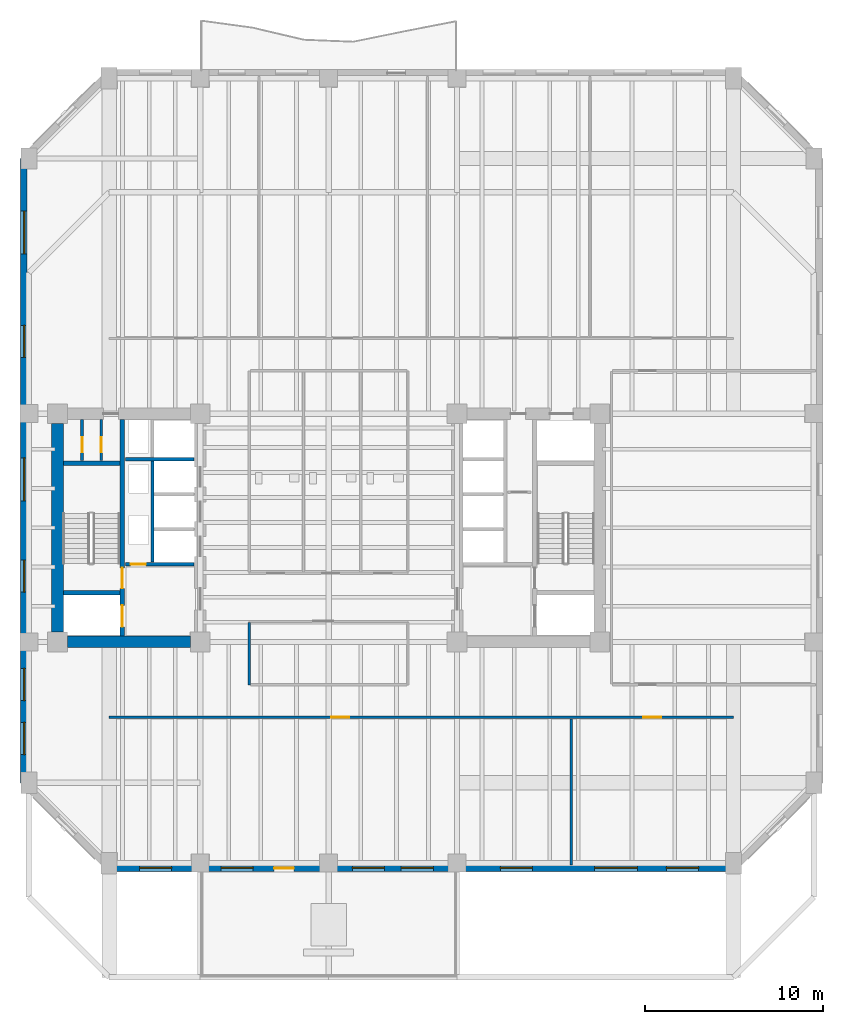
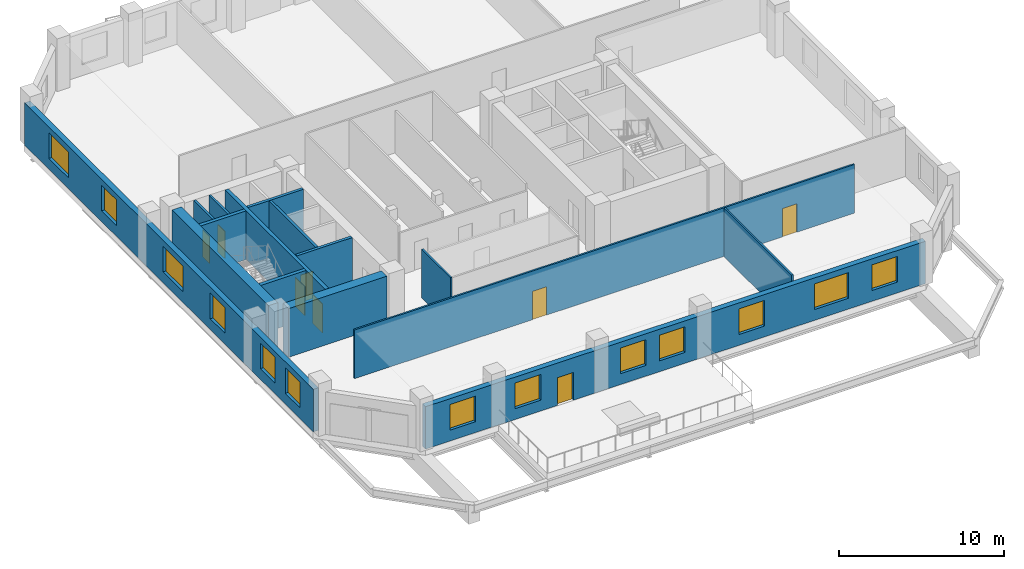
# One storey, part 3 of 10: 15 walls, 13 windows, 8 doors, 21 openings.
"""IFC4 building model written with IfcOpenShell, lengths in metres."""

from ifc_helpers import new_model, si_unit, direction, frame, frame_2d, origin, place, context, subcontext, project, spatial, rectangle, extrude, material, layer, layer_set, type_object, element, fill, save


model = new_model("IFC4")

# Units and contexts
model_context = context("Model", 3, precision=1e-05, world=origin(), true_north=direction((0.0, 1.0)))
body_context = subcontext(model_context, "Body", "Model", "MODEL_VIEW")
ifc_project = project(units=[si_unit("LENGTHUNIT", "METRE"), si_unit("AREAUNIT", "SQUARE_METRE"), si_unit("VOLUMEUNIT", "CUBIC_METRE"), si_unit("PLANEANGLEUNIT", "RADIAN"), si_unit("MASSUNIT", "GRAM", prefix="KILO")], contexts=[model_context])

# Site, building, storey
site_placement = place(None, origin())
site = spatial("IfcSite", under=ifc_project, at=site_placement, CompositionType="ELEMENT")
building_placement = place(site_placement, origin())
building = spatial("IfcBuilding", under=site, at=building_placement, Name="Kranthara Brick Stack", CompositionType="ELEMENT")
storey_placement = place(building_placement, frame((0.0, 0.0, 71.10009765625)))
storey = spatial("IfcBuildingStorey", under=building, at=storey_placement, Name="L17", CompositionType="ELEMENT", Elevation=71.10009765625)

# Wall, openings, door, windows
ifc_material_1 = material(Name="Kiln-fired clay brick masonry M15", Category="masonry")
ifc_layer_1 = layer(ifc_material_1, 0.3798828125)
ifc_layer_set_1 = layer_set([ifc_layer_1], Name="Kiln-fired clay brick masonry M15")
wall_type_1 = type_object("IfcWallType", Name="WL-BRK-PIER-380", PredefinedType="STANDARD", material=ifc_layer_set_1)
wall_1_placement = place(storey_placement, frame((50.699951171875, 8.110107421875, 0.0), z_axis=(0.0, 0.0, 1.0), x_axis=(-1.0, 0.0, 0.0)))
wall_1 = element("IfcWall", 1, at=wall_1_placement, inside=storey, type_object=wall_type_1, Name="L17 Exterior Brick Facade Wall SOUTH 1", PredefinedType="STANDARD", context=body_context, shape_type="SweptSolid", body=[
    extrude(rectangle(XDim=35.0, YDim=0.3798828125, at=frame_2d((17.5, 0.0))), origin(), (0.0, 0.0, 1.0), 3.135009765625),
])
opening_1_placement = place(wall_1_placement, frame((24.64990234375, 0.0, 0.0)))
opening_1 = element("IfcOpeningElement", 2, at=opening_1_placement, cuts=wall_1, Name="Opening D02", PredefinedType="OPENING", context=body_context, shape_type="SweptSolid", body=[
    extrude(rectangle(XDim=1.10009765625, YDim=2.050048828125, at=frame_2d((0.550048828125, 1.02490234375))), frame((0.0, 0.199951171875, 0.0), z_axis=(0.0, -1.0, 0.0), x_axis=(1.0, 0.0, 0.0)), (0.0, 0.0, 1.0), 0.39990234375),
])
opening_2_placement = place(wall_1_placement, frame((1.965087890625, 0.0, 0.800048828125)))
opening_2 = element("IfcOpeningElement", 3, at=opening_2_placement, cuts=wall_1, Name="Opening WN01", PredefinedType="OPENING", context=body_context, shape_type="SweptSolid", body=[
    extrude(rectangle(XDim=1.800048828125, YDim=1.89990234375, at=frame_2d((0.89990234375, 0.949951171875))), frame((0.0, 0.199951171875, 0.0), z_axis=(0.0, -1.0, 0.0), x_axis=(1.0, 0.0, 0.0)), (0.0, 0.0, 1.0), 0.39990234375),
])
opening_3_placement = place(wall_1_placement, frame((5.385009765625, 0.0, 0.800048828125)))
opening_3 = element("IfcOpeningElement", 4, at=opening_3_placement, cuts=wall_1, Name="Opening WN02", PredefinedType="OPENING", context=body_context, shape_type="SweptSolid", body=[
    extrude(rectangle(XDim=2.39990234375, YDim=1.89990234375, at=frame_2d((1.199951171875, 0.949951171875))), frame((0.0, 0.199951171875, 0.0), z_axis=(0.0, -1.0, 0.0), x_axis=(1.0, 0.0, 0.0)), (0.0, 0.0, 1.0), 0.39990234375),
])
opening_4_placement = place(wall_1_placement, frame((11.27490234375, 0.0, 0.800048828125)))
opening_4 = element("IfcOpeningElement", 5, at=opening_4_placement, cuts=wall_1, Name="Opening WN01", PredefinedType="OPENING", context=body_context, shape_type="SweptSolid", body=[
    extrude(rectangle(XDim=1.800048828125, YDim=1.89990234375, at=frame_2d((0.89990234375, 0.949951171875))), frame((0.0, 0.199951171875, 0.0), z_axis=(0.0, -1.0, 0.0), x_axis=(1.0, 0.0, 0.0)), (0.0, 0.0, 1.0), 0.39990234375),
])
opening_5_placement = place(wall_1_placement, frame((16.83203125, 0.0, 0.800048828125)))
opening_5 = element("IfcOpeningElement", 6, at=opening_5_placement, cuts=wall_1, Name="Opening WN01", PredefinedType="OPENING", context=body_context, shape_type="SweptSolid", body=[
    extrude(rectangle(XDim=1.800048828125, YDim=1.89990234375, at=frame_2d((0.89990234375, 0.949951171875))), frame((0.0, 0.199951171875, 0.0), z_axis=(0.0, -1.0, 0.0), x_axis=(1.0, 0.0, 0.0)), (0.0, 0.0, 1.0), 0.39990234375),
])
opening_6_placement = place(wall_1_placement, frame((19.568115234375, 0.0, 0.800048828125)))
opening_6 = element("IfcOpeningElement", 7, at=opening_6_placement, cuts=wall_1, Name="Opening WN01", PredefinedType="OPENING", context=body_context, shape_type="SweptSolid", body=[
    extrude(rectangle(XDim=1.800048828125, YDim=1.89990234375, at=frame_2d((0.89990234375, 0.949951171875))), frame((0.0, 0.199951171875, 0.0), z_axis=(0.0, -1.0, 0.0), x_axis=(1.0, 0.0, 0.0)), (0.0, 0.0, 1.0), 0.39990234375),
])
opening_7_placement = place(wall_1_placement, frame((26.925048828125, 0.0, 0.800048828125)))
opening_7 = element("IfcOpeningElement", 8, at=opening_7_placement, cuts=wall_1, Name="Opening WN01", PredefinedType="OPENING", context=body_context, shape_type="SweptSolid", body=[
    extrude(rectangle(XDim=1.800048828125, YDim=1.89990234375, at=frame_2d((0.89990234375, 0.949951171875))), frame((0.0, 0.199951171875, 0.0), z_axis=(0.0, -1.0, 0.0), x_axis=(1.0, 0.0, 0.0)), (0.0, 0.0, 1.0), 0.39990234375),
])
opening_8_placement = place(wall_1_placement, frame((31.5, 0.0, 0.800048828125)))
opening_8 = element("IfcOpeningElement", 9, at=opening_8_placement, cuts=wall_1, Name="Opening WN01", PredefinedType="OPENING", context=body_context, shape_type="SweptSolid", body=[
    extrude(rectangle(XDim=1.800048828125, YDim=1.89990234375, at=frame_2d((0.89990234375, 0.949951171875))), frame((0.0, 0.199951171875, 0.0), z_axis=(0.0, -1.0, 0.0), x_axis=(1.0, 0.0, 0.0)), (0.0, 0.0, 1.0), 0.39990234375),
])
ifc_material_2 = material(Name="Bronze anodised aluminium and laminated glass", Category="aluminium")
door_type_1 = type_object("IfcDoorType", Name="DR-TERR-1100", OperationType="NOTDEFINED", PredefinedType="DOOR", material=ifc_material_2)
door_1_placement = place(opening_1_placement, origin())
door_1 = element("IfcDoor", 10, at=door_1_placement, inside=storey, type_object=door_type_1, Name="L17 Planted Sky Garden Terrace Door", OperationType="SINGLE_SWING_LEFT", OverallHeight=2.050048828125, OverallWidth=1.10009765625, PredefinedType="DOOR", context=body_context, shape_type="SweptSolid", body=[
    extrude(rectangle(XDim=1.10009765625, YDim=2.050048828125, at=frame_2d((0.550048828125, 1.02490234375))), frame((0.0, 0.02490234375, 0.0), z_axis=(0.0, -1.0, 0.0), x_axis=(1.0, 0.0, 0.0)), (0.0, 0.0, 1.0), 0.050048828125),
])
fill(opening_1, door_1)
ifc_material_3 = material(Name="Double-glazed low-E solar control glass", Category="glass")
window_type_1 = type_object("IfcWindowType", Name="WN-OFF-1800x2000", PartitioningType="SINGLE_PANEL", PredefinedType="WINDOW", material=ifc_material_3)
window_1_placement = place(opening_2_placement, origin())
window_1 = element("IfcWindow", 11, at=window_1_placement, inside=storey, type_object=window_type_1, Name="L17 South Deep-Set Brick Window 01", OverallHeight=1.89990234375, OverallWidth=1.800048828125, PartitioningType="SINGLE_PANEL", PredefinedType="WINDOW", context=body_context, shape_type="SweptSolid", body=[
    extrude(rectangle(XDim=1.800048828125, YDim=1.89990234375, at=frame_2d((0.89990234375, 0.949951171875))), frame((0.0, -0.010009765625, 0.0), z_axis=(0.0, -1.0, 0.0), x_axis=(1.0, 0.0, 0.0)), (0.0, 0.0, 1.0), 0.06005859375),
])
fill(opening_2, window_1)
window_2_placement = place(opening_4_placement, origin())
window_2 = element("IfcWindow", 12, at=window_2_placement, inside=storey, type_object=window_type_1, Name="L17 South Deep-Set Brick Window 03", OverallHeight=1.89990234375, OverallWidth=1.800048828125, PartitioningType="SINGLE_PANEL", PredefinedType="WINDOW", context=body_context, shape_type="SweptSolid", body=[
    extrude(rectangle(XDim=1.800048828125, YDim=1.89990234375, at=frame_2d((0.89990234375, 0.949951171875))), frame((0.0, -0.010009765625, 0.0), z_axis=(0.0, -1.0, 0.0), x_axis=(1.0, 0.0, 0.0)), (0.0, 0.0, 1.0), 0.06005859375),
])
fill(opening_4, window_2)
window_3_placement = place(opening_5_placement, origin())
window_3 = element("IfcWindow", 13, at=window_3_placement, inside=storey, type_object=window_type_1, Name="L17 South Deep-Set Brick Window 04", OverallHeight=1.89990234375, OverallWidth=1.800048828125, PartitioningType="SINGLE_PANEL", PredefinedType="WINDOW", context=body_context, shape_type="SweptSolid", body=[
    extrude(rectangle(XDim=1.800048828125, YDim=1.89990234375, at=frame_2d((0.89990234375, 0.949951171875))), frame((0.0, -0.010009765625, 0.0), z_axis=(0.0, -1.0, 0.0), x_axis=(1.0, 0.0, 0.0)), (0.0, 0.0, 1.0), 0.06005859375),
])
fill(opening_5, window_3)
window_4_placement = place(opening_6_placement, origin())
window_4 = element("IfcWindow", 14, at=window_4_placement, inside=storey, type_object=window_type_1, Name="L17 South Deep-Set Brick Window 05", OverallHeight=1.89990234375, OverallWidth=1.800048828125, PartitioningType="SINGLE_PANEL", PredefinedType="WINDOW", context=body_context, shape_type="SweptSolid", body=[
    extrude(rectangle(XDim=1.800048828125, YDim=1.89990234375, at=frame_2d((0.89990234375, 0.949951171875))), frame((0.0, -0.010009765625, 0.0), z_axis=(0.0, -1.0, 0.0), x_axis=(1.0, 0.0, 0.0)), (0.0, 0.0, 1.0), 0.06005859375),
])
fill(opening_6, window_4)
window_5_placement = place(opening_7_placement, origin())
window_5 = element("IfcWindow", 15, at=window_5_placement, inside=storey, type_object=window_type_1, Name="L17 South Deep-Set Brick Window 06", OverallHeight=1.89990234375, OverallWidth=1.800048828125, PartitioningType="SINGLE_PANEL", PredefinedType="WINDOW", context=body_context, shape_type="SweptSolid", body=[
    extrude(rectangle(XDim=1.800048828125, YDim=1.89990234375, at=frame_2d((0.89990234375, 0.949951171875))), frame((0.0, -0.010009765625, 0.0), z_axis=(0.0, -1.0, 0.0), x_axis=(1.0, 0.0, 0.0)), (0.0, 0.0, 1.0), 0.06005859375),
])
fill(opening_7, window_5)
window_6_placement = place(opening_8_placement, origin())
window_6 = element("IfcWindow", 16, at=window_6_placement, inside=storey, type_object=window_type_1, Name="L17 South Deep-Set Brick Window 07", OverallHeight=1.89990234375, OverallWidth=1.800048828125, PartitioningType="SINGLE_PANEL", PredefinedType="WINDOW", context=body_context, shape_type="SweptSolid", body=[
    extrude(rectangle(XDim=1.800048828125, YDim=1.89990234375, at=frame_2d((0.89990234375, 0.949951171875))), frame((0.0, -0.010009765625, 0.0), z_axis=(0.0, -1.0, 0.0), x_axis=(1.0, 0.0, 0.0)), (0.0, 0.0, 1.0), 0.06005859375),
])
fill(opening_8, window_6)
ifc_material_4 = material(Name="Double-glazed low-E solar control glass", Category="glass")
window_type_2 = type_object("IfcWindowType", Name="WN-OFF-2400x2000", PartitioningType="DOUBLE_PANEL_VERTICAL", PredefinedType="WINDOW", material=ifc_material_4)
window_7_placement = place(opening_3_placement, origin())
window_7 = element("IfcWindow", 17, at=window_7_placement, inside=storey, type_object=window_type_2, Name="L17 South Deep-Set Brick Window 02", OverallHeight=1.89990234375, OverallWidth=2.39990234375, PartitioningType="SINGLE_PANEL", PredefinedType="WINDOW", context=body_context, shape_type="SweptSolid", body=[
    extrude(rectangle(XDim=2.39990234375, YDim=1.89990234375, at=frame_2d((1.199951171875, 0.949951171875))), frame((0.0, -0.010009765625, 0.0), z_axis=(0.0, -1.0, 0.0), x_axis=(1.0, 0.0, 0.0)), (0.0, 0.0, 1.0), 0.06005859375),
])
fill(opening_3, window_7)

# Wall, openings, windows
wall_2_placement = place(storey_placement, frame((10.909912109375, 12.89990234375, 0.0), z_axis=(0.0, 0.0, 1.0), x_axis=(0.0, 1.0, 0.0)))
wall_2 = element("IfcWall", 18, at=wall_2_placement, inside=storey, type_object=wall_type_1, Name="L17 Exterior Brick Facade Wall WEST 1", PredefinedType="STANDARD", context=body_context, shape_type="SweptSolid", body=[
    extrude(rectangle(XDim=35.0, YDim=0.3798828125, at=frame_2d((17.5, 0.0))), origin(), (0.0, 0.0, 1.0), 3.135009765625),
])
opening_9_placement = place(wall_2_placement, frame((1.587890625, 0.0, 0.800048828125)))
opening_9 = element("IfcOpeningElement", 19, at=opening_9_placement, cuts=wall_2, Name="Opening WN01", PredefinedType="OPENING", context=body_context, shape_type="SweptSolid", body=[
    extrude(rectangle(XDim=1.800048828125, YDim=1.89990234375, at=frame_2d((0.89990234375, 0.949951171875))), frame((0.0, 0.199951171875, 0.0), z_axis=(0.0, -1.0, 0.0), x_axis=(1.0, 0.0, 0.0)), (0.0, 0.0, 1.0), 0.39990234375),
])
opening_10_placement = place(wall_2_placement, frame((4.612060546875, 0.0, 0.800048828125)))
opening_10 = element("IfcOpeningElement", 20, at=opening_10_placement, cuts=wall_2, Name="Opening WN01", PredefinedType="OPENING", context=body_context, shape_type="SweptSolid", body=[
    extrude(rectangle(XDim=1.800048828125, YDim=1.89990234375, at=frame_2d((0.89990234375, 0.949951171875))), frame((0.0, 0.199951171875, 0.0), z_axis=(0.0, -1.0, 0.0), x_axis=(1.0, 0.0, 0.0)), (0.0, 0.0, 1.0), 0.39990234375),
])
opening_11_placement = place(wall_2_placement, frame((10.68798828125, 0.0, 0.800048828125)))
opening_11 = element("IfcOpeningElement", 21, at=opening_11_placement, cuts=wall_2, Name="Opening WN01", PredefinedType="OPENING", context=body_context, shape_type="SweptSolid", body=[
    extrude(rectangle(XDim=1.800048828125, YDim=1.89990234375, at=frame_2d((0.89990234375, 0.949951171875))), frame((0.0, 0.199951171875, 0.0), z_axis=(0.0, -1.0, 0.0), x_axis=(1.0, 0.0, 0.0)), (0.0, 0.0, 1.0), 0.39990234375),
])
opening_12_placement = place(wall_2_placement, frame((15.81201171875, 0.0, 0.800048828125)))
opening_12 = element("IfcOpeningElement", 22, at=opening_12_placement, cuts=wall_2, Name="Opening WN02", PredefinedType="OPENING", context=body_context, shape_type="SweptSolid", body=[
    extrude(rectangle(XDim=2.39990234375, YDim=1.89990234375, at=frame_2d((1.199951171875, 0.949951171875))), frame((0.0, 0.199951171875, 0.0), z_axis=(0.0, -1.0, 0.0), x_axis=(1.0, 0.0, 0.0)), (0.0, 0.0, 1.0), 0.39990234375),
])
opening_13_placement = place(wall_2_placement, frame((23.85205078125, 0.0, 0.800048828125)))
opening_13 = element("IfcOpeningElement", 23, at=opening_13_placement, cuts=wall_2, Name="Opening WN01", PredefinedType="OPENING", context=body_context, shape_type="SweptSolid", body=[
    extrude(rectangle(XDim=1.800048828125, YDim=1.89990234375, at=frame_2d((0.89990234375, 0.949951171875))), frame((0.0, 0.199951171875, 0.0), z_axis=(0.0, -1.0, 0.0), x_axis=(1.0, 0.0, 0.0)), (0.0, 0.0, 1.0), 0.39990234375),
])
opening_14_placement = place(wall_2_placement, frame((29.64794921875, 0.0, 0.800048828125)))
opening_14 = element("IfcOpeningElement", 24, at=opening_14_placement, cuts=wall_2, Name="Opening WN02", PredefinedType="OPENING", context=body_context, shape_type="SweptSolid", body=[
    extrude(rectangle(XDim=2.39990234375, YDim=1.89990234375, at=frame_2d((1.199951171875, 0.949951171875))), frame((0.0, 0.199951171875, 0.0), z_axis=(0.0, -1.0, 0.0), x_axis=(1.0, 0.0, 0.0)), (0.0, 0.0, 1.0), 0.39990234375),
])
window_8_placement = place(opening_9_placement, origin())
window_8 = element("IfcWindow", 25, at=window_8_placement, inside=storey, type_object=window_type_1, Name="L17 West Deep-Set Brick Window 01", OverallHeight=1.89990234375, OverallWidth=1.800048828125, PartitioningType="SINGLE_PANEL", PredefinedType="WINDOW", context=body_context, shape_type="SweptSolid", body=[
    extrude(rectangle(XDim=1.800048828125, YDim=1.89990234375, at=frame_2d((0.89990234375, 0.949951171875))), frame((0.0, -0.010009765625, 0.0), z_axis=(0.0, -1.0, 0.0), x_axis=(1.0, 0.0, 0.0)), (0.0, 0.0, 1.0), 0.06005859375),
])
fill(opening_9, window_8)
window_9_placement = place(opening_10_placement, origin())
window_9 = element("IfcWindow", 26, at=window_9_placement, inside=storey, type_object=window_type_1, Name="L17 West Deep-Set Brick Window 02", OverallHeight=1.89990234375, OverallWidth=1.800048828125, PartitioningType="SINGLE_PANEL", PredefinedType="WINDOW", context=body_context, shape_type="SweptSolid", body=[
    extrude(rectangle(XDim=1.800048828125, YDim=1.89990234375, at=frame_2d((0.89990234375, 0.949951171875))), frame((0.0, -0.010009765625, 0.0), z_axis=(0.0, -1.0, 0.0), x_axis=(1.0, 0.0, 0.0)), (0.0, 0.0, 1.0), 0.06005859375),
])
fill(opening_10, window_9)
window_10_placement = place(opening_11_placement, origin())
window_10 = element("IfcWindow", 27, at=window_10_placement, inside=storey, type_object=window_type_1, Name="L17 West Deep-Set Brick Window 03", OverallHeight=1.89990234375, OverallWidth=1.800048828125, PartitioningType="SINGLE_PANEL", PredefinedType="WINDOW", context=body_context, shape_type="SweptSolid", body=[
    extrude(rectangle(XDim=1.800048828125, YDim=1.89990234375, at=frame_2d((0.89990234375, 0.949951171875))), frame((0.0, -0.010009765625, 0.0), z_axis=(0.0, -1.0, 0.0), x_axis=(1.0, 0.0, 0.0)), (0.0, 0.0, 1.0), 0.06005859375),
])
fill(opening_11, window_10)
window_11_placement = place(opening_13_placement, origin())
window_11 = element("IfcWindow", 28, at=window_11_placement, inside=storey, type_object=window_type_1, Name="L17 West Deep-Set Brick Window 05", OverallHeight=1.89990234375, OverallWidth=1.800048828125, PartitioningType="SINGLE_PANEL", PredefinedType="WINDOW", context=body_context, shape_type="SweptSolid", body=[
    extrude(rectangle(XDim=1.800048828125, YDim=1.89990234375, at=frame_2d((0.89990234375, 0.949951171875))), frame((0.0, -0.010009765625, 0.0), z_axis=(0.0, -1.0, 0.0), x_axis=(1.0, 0.0, 0.0)), (0.0, 0.0, 1.0), 0.06005859375),
])
fill(opening_13, window_11)
window_12_placement = place(opening_12_placement, origin())
window_12 = element("IfcWindow", 29, at=window_12_placement, inside=storey, type_object=window_type_2, Name="L17 West Deep-Set Brick Window 04", OverallHeight=1.89990234375, OverallWidth=2.39990234375, PartitioningType="SINGLE_PANEL", PredefinedType="WINDOW", context=body_context, shape_type="SweptSolid", body=[
    extrude(rectangle(XDim=2.39990234375, YDim=1.89990234375, at=frame_2d((1.199951171875, 0.949951171875))), frame((0.0, -0.010009765625, 0.0), z_axis=(0.0, -1.0, 0.0), x_axis=(1.0, 0.0, 0.0)), (0.0, 0.0, 1.0), 0.06005859375),
])
fill(opening_12, window_12)
window_13_placement = place(opening_14_placement, origin())
window_13 = element("IfcWindow", 30, at=window_13_placement, inside=storey, type_object=window_type_2, Name="L17 West Deep-Set Brick Window 06", OverallHeight=1.89990234375, OverallWidth=2.39990234375, PartitioningType="SINGLE_PANEL", PredefinedType="WINDOW", context=body_context, shape_type="SweptSolid", body=[
    extrude(rectangle(XDim=2.39990234375, YDim=1.89990234375, at=frame_2d((1.199951171875, 0.949951171875))), frame((0.0, -0.010009765625, 0.0), z_axis=(0.0, -1.0, 0.0), x_axis=(1.0, 0.0, 0.0)), (0.0, 0.0, 1.0), 0.06005859375),
])
fill(opening_14, window_13)

# Wall, openings, doors
ifc_material_5 = material(Name="Concrete C50/60", Category="concrete")
ifc_layer_2 = layer(ifc_material_5, 0.25)
ifc_layer_set_2 = layer_set([ifc_layer_2], Name="Concrete C50/60")
wall_type_2 = type_object("IfcWallType", Name="WL-CORE-250", PredefinedType="SHEAR", material=ifc_layer_set_2)
wall_3_placement = place(storey_placement, frame((16.43505859375, 21.135009765625, 0.0), z_axis=(0.0, 0.0, 1.0), x_axis=(0.0, 1.0, 0.0)))
wall_3 = element("IfcWall", 31, at=wall_3_placement, inside=storey, type_object=wall_type_2, Name="L17 West Core Stair Bearing Spine Wall", PredefinedType="SHEAR", context=body_context, shape_type="SweptSolid", body=[
    extrude(rectangle(XDim=12.1298828125, YDim=0.25, at=frame_2d((6.06494140625, 0.0))), origin(), (0.0, 0.0, 1.0), 3.599853515625),
])
opening_15_placement = place(wall_3_placement, frame((0.514892578125, 0.0, 0.0)))
opening_15 = element("IfcOpeningElement", 32, at=opening_15_placement, cuts=wall_3, Name="Opening LD01", PredefinedType="OPENING", context=body_context, shape_type="SweptSolid", body=[
    extrude(rectangle(XDim=1.199951171875, YDim=2.14990234375, at=frame_2d((0.60009765625, 1.074951171875))), frame((0.0, 0.135009765625, 0.0), z_axis=(0.0, -1.0, 0.0), x_axis=(1.0, 0.0, 0.0)), (0.0, 0.0, 1.0), 0.27001953125),
])
opening_16_placement = place(wall_3_placement, frame((2.6650390625, 0.0, 0.0)))
opening_16 = element("IfcOpeningElement", 33, at=opening_16_placement, cuts=wall_3, Name="Opening D05", PredefinedType="OPENING", context=body_context, shape_type="SweptSolid", body=[
    extrude(rectangle(XDim=1.14990234375, YDim=2.14990234375, at=frame_2d((0.574951171875, 1.074951171875))), frame((0.0, 0.135009765625, 0.0), z_axis=(0.0, -1.0, 0.0), x_axis=(1.0, 0.0, 0.0)), (0.0, 0.0, 1.0), 0.27001953125),
])
ifc_material_6 = material(Name="Stainless steel sliding landing door", Category="steel")
door_type_2 = type_object("IfcDoorType", Name="DR-LD-FF1200", OperationType="DOUBLE_DOOR_SLIDING", PredefinedType="DOOR", material=ifc_material_6)
door_2_placement = place(opening_15_placement, origin())
door_2 = element("IfcDoor", 34, at=door_2_placement, inside=storey, type_object=door_type_2, Name="L17 Firefighting Lift FF-01 Landing Door", OperationType="DOUBLE_DOOR_SLIDING", OverallHeight=2.14990234375, OverallWidth=1.199951171875, PredefinedType="DOOR", context=body_context, shape_type="SweptSolid", body=[
    extrude(rectangle(XDim=1.199951171875, YDim=2.14990234375, at=frame_2d((0.60009765625, 1.074951171875))), frame((0.0, 0.02490234375, 0.0), z_axis=(0.0, -1.0, 0.0), x_axis=(1.0, 0.0, 0.0)), (0.0, 0.0, 1.0), 0.050048828125),
])
fill(opening_15, door_2)
ifc_material_7 = material(Name="Solid-core hardwood timber leaf in steel frame", Category="steel")
door_type_3 = type_object("IfcDoorType", Name="DR-ST-1150", OperationType="NOTDEFINED", PredefinedType="DOOR", material=ifc_material_7)
door_3_placement = place(opening_16_placement, origin())
door_3 = element("IfcDoor", 35, at=door_3_placement, inside=storey, type_object=door_type_3, Name="L17 Exit Stair ST01 Door", OperationType="SINGLE_SWING_RIGHT", OverallHeight=2.14990234375, OverallWidth=1.14990234375, PredefinedType="DOOR", context=body_context, shape_type="SweptSolid", body=[
    extrude(rectangle(XDim=1.14990234375, YDim=2.14990234375, at=frame_2d((0.574951171875, 1.074951171875))), frame((0.0, 0.02490234375, 0.0), z_axis=(0.0, -1.0, 0.0), x_axis=(1.0, 0.0, 0.0)), (0.0, 0.0, 1.0), 0.050048828125),
])
fill(opening_16, door_3)

# Walls
for number, where, z_axis, x_axis, name in (
    (36, (13.135009765625, 23.570068359375, 0.0), (0.0, 0.0, 1.0), (1.0, 0.0, 0.0), "L17 West Stairwell Bearing Wall WFF"),
    (37, (13.135009765625, 30.830078125, 0.0), (0.0, 0.0, 1.0), (1.0, 0.0, 0.0), "L17 West Stairwell Bearing Wall WST"),
):
    element("IfcWall", number, at=place(storey_placement, frame(where, z_axis=z_axis, x_axis=x_axis)), inside=storey, type_object=wall_type_2, Name=name, PredefinedType="SHEAR", context=body_context, shape_type="SweptSolid", body=[
        extrude(rectangle(XDim=3.175048828125, YDim=0.25, at=frame_2d((1.58740234375, 0.0))), origin(), (0.0, 0.0, 1.0), 3.599853515625),
    ])
ifc_material_8 = material(Name="Concrete C60/75", Category="concrete")
ifc_layer_3 = layer(ifc_material_8, 0.64990234375)
ifc_layer_set_3 = layer_set([ifc_layer_3], Name="Concrete C60/75")
wall_type_3 = type_object("IfcWallType", Name="WL-CORE-650", PredefinedType="SHEAR", material=ifc_layer_set_3)
wall_4_placement = place(storey_placement, frame((12.800048828125, 21.35498046875, 0.0), z_axis=(0.0, 0.0, 1.0), x_axis=(0.0, 1.0, 0.0)))
element("IfcWall", 38, at=wall_4_placement, inside=storey, type_object=wall_type_3, Name="L17 West Core Shear Wall West", PredefinedType="SHEAR", context=body_context, shape_type="SweptSolid", body=[
    extrude(rectangle(XDim=11.68994140625, YDim=0.64990234375, at=frame_2d((5.844970703125, 0.0))), origin(), (0.0, 0.0, 1.0), 3.599853515625),
])
wall_5_placement = place(storey_placement, frame((13.35498046875, 20.800048828125, 0.0), z_axis=(0.0, 0.0, 1.0), x_axis=(1.0, 0.0, 0.0)))
element("IfcWall", 39, at=wall_5_placement, inside=storey, type_object=wall_type_3, Name="L17 West Core Shear Wall South", PredefinedType="SHEAR", context=body_context, shape_type="SweptSolid", body=[
    extrude(rectangle(XDim=6.89013671875, YDim=0.64990234375, at=frame_2d((3.445068359375, 0.0))), origin(), (0.0, 0.0, 1.0), 3.599853515625),
])
ifc_material_9 = material(Name="Acoustic gypsum plasterboard partition", Category="other")
ifc_layer_4 = layer(ifc_material_9, 0.1201171875)
ifc_layer_set_4 = layer_set([ifc_layer_4], Name="Acoustic gypsum plasterboard partition")
wall_type_4 = type_object("IfcWallType", Name="WL-PART-120", PredefinedType="PARTITIONING", material=ifc_layer_set_4)
wall_6_placement = place(storey_placement, frame((23.550048828125, 18.39990234375, 0.0), z_axis=(0.0, 0.0, 1.0), x_axis=(0.0, 1.0, 0.0)))
element("IfcWall", 40, at=wall_6_placement, inside=storey, type_object=wall_type_4, Name="L17 Interior Partition 011", PredefinedType="PARTITIONING", context=body_context, shape_type="SweptSolid", body=[
    extrude(rectangle(XDim=3.485107421875, YDim=0.1201171875, at=frame_2d((1.74267578125, 0.0))), origin(), (0.0, 0.0, 1.0), 3.599853515625),
])

# Wall, openings, doors
wall_7_placement = place(storey_placement, frame((15.699951171875, 16.580078125, 0.0), z_axis=(0.0, 0.0, 1.0), x_axis=(1.0, 0.0, 0.0)))
wall_7 = element("IfcWall", 41, at=wall_7_placement, inside=storey, type_object=wall_type_4, Name="L17 Interior Partition 014", PredefinedType="PARTITIONING", context=body_context, shape_type="SweptSolid", body=[
    extrude(rectangle(XDim=35.0, YDim=0.1201171875, at=frame_2d((17.5, 0.0))), origin(), (0.0, 0.0, 1.0), 3.599853515625),
])
opening_17_placement = place(wall_7_placement, frame((12.449951171875, 0.0, 0.0)))
opening_17 = element("IfcOpeningElement", 42, at=opening_17_placement, cuts=wall_7, Name="Opening D13", PredefinedType="OPENING", context=body_context, shape_type="SweptSolid", body=[
    extrude(rectangle(XDim=1.0, YDim=2.10009765625, at=frame_2d((0.5, 1.050048828125))), frame((0.0, 0.070068359375, 0.0), z_axis=(0.0, -1.0, 0.0), x_axis=(1.0, 0.0, 0.0)), (0.0, 0.0, 1.0), 0.14013671875),
])
opening_18_placement = place(wall_7_placement, frame((29.949951171875, 0.0, 0.0)))
opening_18 = element("IfcOpeningElement", 43, at=opening_18_placement, cuts=wall_7, Name="Opening D13", PredefinedType="OPENING", context=body_context, shape_type="SweptSolid", body=[
    extrude(rectangle(XDim=1.0, YDim=2.10009765625, at=frame_2d((0.5, 1.050048828125))), frame((0.0, 0.070068359375, 0.0), z_axis=(0.0, -1.0, 0.0), x_axis=(1.0, 0.0, 0.0)), (0.0, 0.0, 1.0), 0.14013671875),
])
ifc_material_10 = material(Name="Solid-core hardwood timber leaf in steel frame", Category="steel")
door_type_4 = type_object("IfcDoorType", Name="DR-INT-1000", OperationType="NOTDEFINED", PredefinedType="DOOR", material=ifc_material_10)
door_4_placement = place(opening_17_placement, origin())
door_4 = element("IfcDoor", 44, at=door_4_placement, inside=storey, type_object=door_type_4, Name="L17 Open Plan Workspace 08", OperationType="SINGLE_SWING_RIGHT", OverallHeight=2.10009765625, OverallWidth=1.0, PredefinedType="DOOR", context=body_context, shape_type="SweptSolid", body=[
    extrude(rectangle(XDim=1.0, YDim=2.10009765625, at=frame_2d((0.5, 1.050048828125))), frame((0.0, 0.02490234375, 0.0), z_axis=(0.0, -1.0, 0.0), x_axis=(1.0, 0.0, 0.0)), (0.0, 0.0, 1.0), 0.050048828125),
])
fill(opening_17, door_4)
door_5_placement = place(opening_18_placement, origin())
door_5 = element("IfcDoor", 45, at=door_5_placement, inside=storey, type_object=door_type_4, Name="L17 Staff Pantry 09", OperationType="SINGLE_SWING_LEFT", OverallHeight=2.10009765625, OverallWidth=1.0, PredefinedType="DOOR", context=body_context, shape_type="SweptSolid", body=[
    extrude(rectangle(XDim=1.0, YDim=2.10009765625, at=frame_2d((0.5, 1.050048828125))), frame((0.0, 0.02490234375, 0.0), z_axis=(0.0, -1.0, 0.0), x_axis=(1.0, 0.0, 0.0)), (0.0, 0.0, 1.0), 0.050048828125),
])
fill(opening_18, door_5)

# Wall
wall_8_placement = place(storey_placement, frame((41.60009765625, 8.304931640625, 0.0), z_axis=(0.0, 0.0, 1.0), x_axis=(0.0, 1.0, 0.0)))
element("IfcWall", 46, at=wall_8_placement, inside=storey, type_object=wall_type_4, Name="L17 Interior Partition 015", PredefinedType="PARTITIONING", context=body_context, shape_type="SweptSolid", body=[
    extrude(rectangle(XDim=8.175048828125, YDim=0.1201171875, at=frame_2d((4.08740234375, 0.0))), origin(), (0.0, 0.0, 1.0), 3.599853515625),
])

# Wall, opening, door
ifc_material_11 = material(Name="Fire-rated gypsum board partition", Category="other")
ifc_layer_5 = layer(ifc_material_11, 0.14990234375)
ifc_layer_set_5 = layer_set([ifc_layer_5], Name="Fire-rated gypsum board partition")
wall_type_5 = type_object("IfcWallType", Name="WL-PART-150", PredefinedType="PARTITIONING", material=ifc_layer_set_5)
wall_9_placement = place(storey_placement, frame((14.179931640625, 30.9599609375, 0.0), z_axis=(0.0, 0.0, 1.0), x_axis=(0.0, 1.0, 0.0)))
wall_9 = element("IfcWall", 47, at=wall_9_placement, inside=storey, type_object=wall_type_5, Name="L17 Interior Partition 001", PredefinedType="PARTITIONING", context=body_context, shape_type="SweptSolid", body=[
    extrude(rectangle(XDim=2.31005859375, YDim=0.14990234375, at=frame_2d((1.155029296875, 0.0))), origin(), (0.0, 0.0, 1.0), 3.599853515625),
])
opening_19_placement = place(wall_9_placement, frame((0.469970703125, 0.0, 0.0)))
opening_19 = element("IfcOpeningElement", 48, at=opening_19_placement, cuts=wall_9, Name="Opening D10", PredefinedType="OPENING", context=body_context, shape_type="SweptSolid", body=[
    extrude(rectangle(XDim=0.85009765625, YDim=2.02001953125, at=frame_2d((0.425048828125, 1.010009765625))), frame((0.0, 0.0849609375, 0.0), z_axis=(0.0, -1.0, 0.0), x_axis=(1.0, 0.0, 0.0)), (0.0, 0.0, 1.0), 0.169921875),
])
ifc_material_12 = material(Name="Solid-core hardwood timber leaf in steel frame", Category="steel")
door_type_5 = type_object("IfcDoorType", Name="DR-RSR-850", OperationType="NOTDEFINED", PredefinedType="DOOR", material=ifc_material_12)
door_6_placement = place(opening_19_placement, origin())
door_6 = element("IfcDoor", 49, at=door_6_placement, inside=storey, type_object=door_type_5, Name="L17 Riser Door A 01", OperationType="SINGLE_SWING_LEFT", OverallHeight=2.02001953125, OverallWidth=0.85009765625, PredefinedType="DOOR", context=body_context, shape_type="SweptSolid", body=[
    extrude(rectangle(XDim=0.85009765625, YDim=2.02001953125, at=frame_2d((0.425048828125, 1.010009765625))), frame((0.0, 0.02490234375, 0.0), z_axis=(0.0, -1.0, 0.0), x_axis=(1.0, 0.0, 0.0)), (0.0, 0.0, 1.0), 0.050048828125),
])
fill(opening_19, door_6)

wall_10_placement = place(storey_placement, frame((15.25, 30.9599609375, 0.0), z_axis=(0.0, 0.0, 1.0), x_axis=(0.0, 1.0, 0.0)))
wall_10 = element("IfcWall", 50, at=wall_10_placement, inside=storey, type_object=wall_type_5, Name="L17 Interior Partition 002", PredefinedType="PARTITIONING", context=body_context, shape_type="SweptSolid", body=[
    extrude(rectangle(XDim=2.31005859375, YDim=0.14990234375, at=frame_2d((1.155029296875, 0.0))), origin(), (0.0, 0.0, 1.0), 3.599853515625),
])
opening_20_placement = place(wall_10_placement, frame((0.469970703125, 0.0, 0.0)))
opening_20 = element("IfcOpeningElement", 51, at=opening_20_placement, cuts=wall_10, Name="Opening D10", PredefinedType="OPENING", context=body_context, shape_type="SweptSolid", body=[
    extrude(rectangle(XDim=0.85009765625, YDim=2.02001953125, at=frame_2d((0.425048828125, 1.010009765625))), frame((0.0, 0.0849609375, 0.0), z_axis=(0.0, -1.0, 0.0), x_axis=(1.0, 0.0, 0.0)), (0.0, 0.0, 1.0), 0.169921875),
])
door_7_placement = place(opening_20_placement, origin())
door_7 = element("IfcDoor", 52, at=door_7_placement, inside=storey, type_object=door_type_5, Name="L17 Riser Door B 02", OperationType="SINGLE_SWING_RIGHT", OverallHeight=2.02001953125, OverallWidth=0.85009765625, PredefinedType="DOOR", context=body_context, shape_type="SweptSolid", body=[
    extrude(rectangle(XDim=0.85009765625, YDim=2.02001953125, at=frame_2d((0.425048828125, 1.010009765625))), frame((0.0, 0.02490234375, 0.0), z_axis=(0.0, -1.0, 0.0), x_axis=(1.0, 0.0, 0.0)), (0.0, 0.0, 1.0), 0.050048828125),
])
fill(opening_20, door_7)

# Wall
ifc_material_13 = material(Name="Gypsum plasterboard on acoustic twin stud", Category="other")
ifc_layer_6 = layer(ifc_material_13, 0.179931640625)
ifc_layer_set_6 = layer_set([ifc_layer_6], Name="Gypsum plasterboard on acoustic twin stud")
wall_type_6 = type_object("IfcWallType", Name="WL-PART-180", PredefinedType="PARTITIONING", material=ifc_layer_set_6)
wall_11_placement = place(storey_placement, frame((18.1201171875, 25.27001953125, 0.0), z_axis=(0.0, 0.0, 1.0), x_axis=(0.0, 1.0, 0.0)))
element("IfcWall", 53, at=wall_11_placement, inside=storey, type_object=wall_type_6, Name="L17 West Hoistway Wall WBK", PredefinedType="PARTITIONING", context=body_context, shape_type="SweptSolid", body=[
    extrude(rectangle(XDim=5.659912109375, YDim=0.179931640625, at=frame_2d((2.830078125, 0.0))), origin(), (0.0, 0.0, 1.0), 3.599853515625),
])

# Wall, opening, door
ifc_material_14 = material(Name="Concrete C40/50", Category="concrete")
ifc_layer_7 = layer(ifc_material_14, 0.199951171875)
ifc_layer_set_7 = layer_set([ifc_layer_7], Name="Concrete C40/50")
wall_type_7 = type_object("IfcWallType", Name="WL-PART-200", PredefinedType="SOLIDWALL", material=ifc_layer_set_7)
wall_12_placement = place(storey_placement, frame((16.60009765625, 25.14990234375, 0.0), z_axis=(0.0, 0.0, 1.0), x_axis=(1.0, 0.0, 0.0)))
wall_12 = element("IfcWall", 54, at=wall_12_placement, inside=storey, type_object=wall_type_7, Name="L17 West Core Cross Wall WFL", PredefinedType="SOLIDWALL", context=body_context, shape_type="SweptSolid", body=[
    extrude(rectangle(XDim=3.864990234375, YDim=0.199951171875, at=frame_2d((1.9326171875, 0.0))), origin(), (0.0, 0.0, 1.0), 3.599853515625),
])
opening_21_placement = place(wall_12_placement, frame((0.300048828125, 0.0, 0.0)))
opening_21 = element("IfcOpeningElement", 55, at=opening_21_placement, cuts=wall_12, Name="Opening D10", PredefinedType="OPENING", context=body_context, shape_type="SweptSolid", body=[
    extrude(rectangle(XDim=0.85009765625, YDim=2.02001953125, at=frame_2d((0.425048828125, 1.010009765625))), frame((0.0, 0.10986328125, 0.0), z_axis=(0.0, -1.0, 0.0), x_axis=(1.0, 0.0, 0.0)), (0.0, 0.0, 1.0), 0.219970703125),
])
door_8_placement = place(opening_21_placement, origin())
door_8 = element("IfcDoor", 56, at=door_8_placement, inside=storey, type_object=door_type_5, Name="L17 Mechanical Riser Access Door", OperationType="SINGLE_SWING_LEFT", OverallHeight=2.02001953125, OverallWidth=0.85009765625, PredefinedType="DOOR", context=body_context, shape_type="SweptSolid", body=[
    extrude(rectangle(XDim=0.85009765625, YDim=2.02001953125, at=frame_2d((0.425048828125, 1.010009765625))), frame((0.0, 0.02490234375, 0.0), z_axis=(0.0, -1.0, 0.0), x_axis=(1.0, 0.0, 0.0)), (0.0, 0.0, 1.0), 0.050048828125),
])
fill(opening_21, door_8)

# Wall
wall_13_placement = place(storey_placement, frame((16.60009765625, 31.050048828125, 0.0), z_axis=(0.0, 0.0, 1.0), x_axis=(1.0, 0.0, 0.0)))
element("IfcWall", 57, at=wall_13_placement, inside=storey, type_object=wall_type_7, Name="L17 West Core Cross Wall WH4", PredefinedType="SOLIDWALL", context=body_context, shape_type="SweptSolid", body=[
    extrude(rectangle(XDim=3.849853515625, YDim=0.199951171875, at=frame_2d((1.9248046875, 0.0))), origin(), (0.0, 0.0, 1.0), 3.599853515625),
])

save(model, "model.ifc")
